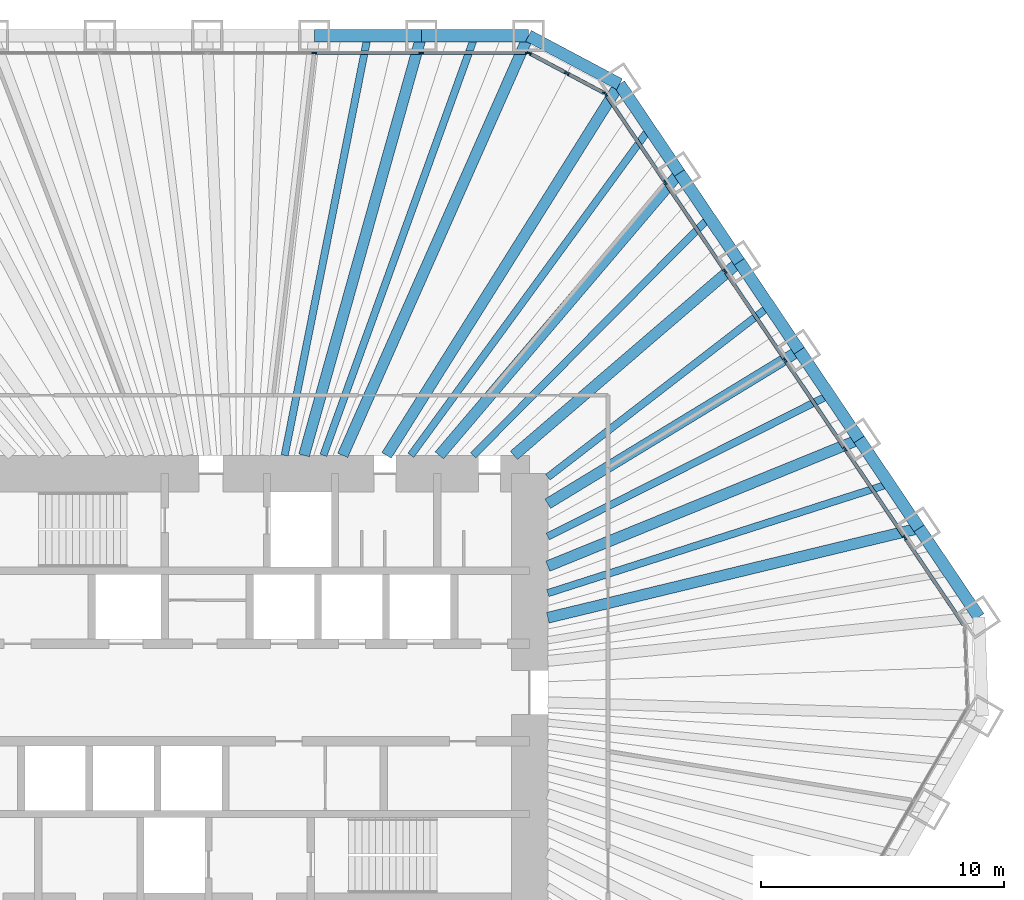
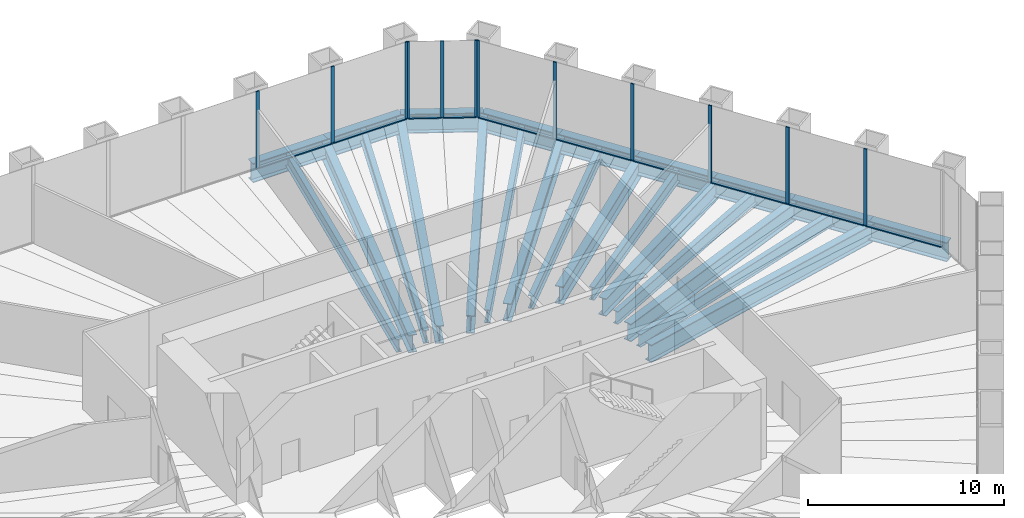
# One storey, part 7 of 13: 24 beams, 22 members, 3 elements without a shape of their own.
"""IFC4 building model written with IfcOpenShell, lengths in metres."""

from ifc_helpers import new_model, si_unit, direction, frame, origin, origin_2d, place, context, subcontext, project, spatial, rectangle, i_section, extrude, material, material_profile, profile_set, type_object, element, aggregate, save


model = new_model("IFC4")

# Units and contexts
model_context = context("Model", 3, precision=1e-05, world=origin(), true_north=direction((0.0, 1.0)))
body_context = subcontext(model_context, "Body", "Model", "MODEL_VIEW")
ifc_project = project(units=[si_unit("LENGTHUNIT", "METRE"), si_unit("AREAUNIT", "SQUARE_METRE"), si_unit("VOLUMEUNIT", "CUBIC_METRE"), si_unit("PLANEANGLEUNIT", "RADIAN"), si_unit("MASSUNIT", "GRAM", prefix="KILO")], contexts=[model_context])

# Site, building, storey
site_placement = place(None, origin())
site = spatial("IfcSite", under=ifc_project, at=site_placement, CompositionType="ELEMENT")
building_placement = place(site_placement, origin())
building = spatial("IfcBuilding", under=site, at=building_placement, Name="Qingtian Harvest Tower", CompositionType="ELEMENT")
storey_placement = place(building_placement, frame((0.0, 0.0, 87.0)))
storey = spatial("IfcBuildingStorey", under=building, at=storey_placement, Name="L17", CompositionType="ELEMENT", Elevation=87.0)

# Beams
ifc_material_1 = material(Name="Steel SM570MC", Category="steel")
ifc_material_profile_1 = material_profile(ifc_material_1, i_section(OverallWidth=0.449951171875, OverallDepth=1.10009765625, WebThickness=0.02197265625, FlangeThickness=0.044921875, at=origin_2d()), Name="H1100x450x22x45")
ifc_profile_set_1 = profile_set([ifc_material_profile_1], Name="Steel SM570MC")
beam_type_1 = type_object("IfcBeamType", Name="Corner floor beam FB8 H1100x450x22x45", PredefinedType="BEAM", material=ifc_profile_set_1)
beam_1_placement = place(storey_placement, frame((11.9560546875, 27.0, -0.75), z_axis=(-0.404898955654, -0.914361436036, 0.0), x_axis=(0.914361436036, -0.404898955654, 0.0)))
element("IfcBeam", 1, at=beam_1_placement, inside=storey, type_object=beam_type_1, Name="Floor beam FB8 N6", PredefinedType="BEAM", context=body_context, shape_type="SweptSolid", body=[
    extrude(i_section(OverallWidth=0.449951171875, OverallDepth=1.10009765625, WebThickness=0.02197265625, FlangeThickness=0.044921875, at=origin_2d()), origin(), (0.0, 0.0, 1.0), 18.86572265625),
])
beam_2_placement = place(storey_placement, frame((15.6982421875, 25.01025390625, -0.75), z_axis=(-0.531622796942, -0.846981228701, 0.0), x_axis=(0.846981228701, -0.531622796942, 0.0)))
element("IfcBeam", 2, at=beam_2_placement, inside=storey, type_object=beam_type_1, Name="Floor beam FB8 NE0", PredefinedType="BEAM", context=body_context, shape_type="SweptSolid", body=[
    extrude(i_section(OverallWidth=0.449951171875, OverallDepth=1.10009765625, WebThickness=0.02197265625, FlangeThickness=0.044921875, at=origin_2d()), origin(), (0.0, 0.0, 1.0), 18.017333984375),
])
ifc_material_2 = material(Name="Steel SM570MC", Category="steel")
ifc_material_profile_2 = material_profile(ifc_material_2, i_section(OverallWidth=0.449951171875, OverallDepth=1.10009765625, WebThickness=0.02197265625, FlangeThickness=0.044921875, at=origin_2d()), Name="H1100x450x22x45")
ifc_profile_set_2 = profile_set([ifc_material_profile_2], Name="Steel SM570MC")
beam_type_2 = type_object("IfcBeamType", Name="Floor beam FB1 H1100x450x22x45", PredefinedType="BEAM", material=ifc_profile_set_2)
beam_3_placement = place(storey_placement, frame((7.551513671875, 27.0, -0.75), z_axis=(-0.269343258019, -0.963044240604, 0.0), x_axis=(0.963044240604, -0.269343258019, 0.0)))
element("IfcBeam", 3, at=beam_3_placement, inside=storey, type_object=beam_type_2, Name="Floor beam FB1 N5", PredefinedType="BEAM", context=body_context, shape_type="SweptSolid", body=[
    extrude(i_section(OverallWidth=0.449951171875, OverallDepth=1.10009765625, WebThickness=0.02197265625, FlangeThickness=0.044921875, at=origin_2d()), origin(), (0.0, 0.0, 1.0), 17.911865234375),
])
beam_4_placement = place(storey_placement, frame((18.1611328125, 21.358642578125, -0.75), z_axis=(-0.647781887327, -0.761825850474, 0.0), x_axis=(0.761825850474, -0.647781887327, 0.0)))
element("IfcBeam", 4, at=beam_4_placement, inside=storey, type_object=beam_type_2, Name="Floor beam FB1 NE1", PredefinedType="BEAM", context=body_context, shape_type="SweptSolid", body=[
    extrude(i_section(OverallWidth=0.449951171875, OverallDepth=1.10009765625, WebThickness=0.02197265625, FlangeThickness=0.044921875, at=origin_2d()), origin(), (0.0, 0.0, 1.0), 15.238037109375),
])
beam_5_placement = place(storey_placement, frame((20.624267578125, 17.70703125, -0.75), z_axis=(-0.75873153072, -0.651403457384, 0.0), x_axis=(0.651403457384, -0.75873153072, 0.0)))
element("IfcBeam", 5, at=beam_5_placement, inside=storey, type_object=beam_type_2, Name="Floor beam FB1 NE2", PredefinedType="BEAM", context=body_context, shape_type="SweptSolid", body=[
    extrude(i_section(OverallWidth=0.449951171875, OverallDepth=1.10009765625, WebThickness=0.02197265625, FlangeThickness=0.044921875, at=origin_2d()), origin(), (0.0, 0.0, 1.0), 12.21533203125),
])
beam_6_placement = place(storey_placement, frame((23.08740234375, 14.0556640625, -0.75), z_axis=(-0.854157261259, -0.520014781558, 0.0), x_axis=(0.520014781558, -0.854157261259, 0.0)))
element("IfcBeam", 6, at=beam_6_placement, inside=storey, type_object=beam_type_2, Name="Floor beam FB1 NE3", PredefinedType="BEAM", context=body_context, shape_type="SweptSolid", body=[
    extrude(i_section(OverallWidth=0.449951171875, OverallDepth=1.10009765625, WebThickness=0.02197265625, FlangeThickness=0.044921875, at=origin_2d()), origin(), (0.0, 0.0, 1.0), 12.1025390625),
])
beam_7_placement = place(storey_placement, frame((25.55029296875, 10.404052734375, -0.75), z_axis=(-0.926156354735, -0.37713977062, 0.0), x_axis=(0.37713977062, -0.926156354735, 0.0)))
element("IfcBeam", 7, at=beam_7_placement, inside=storey, type_object=beam_type_2, Name="Floor beam FB1 NE4", PredefinedType="BEAM", context=body_context, shape_type="SweptSolid", body=[
    extrude(i_section(OverallWidth=0.449951171875, OverallDepth=1.10009765625, WebThickness=0.02197265625, FlangeThickness=0.044921875, at=origin_2d()), origin(), (0.0, 0.0, 1.0), 13.82080078125),
])
beam_8_placement = place(storey_placement, frame((28.013427734375, 6.75244140625, -0.75), z_axis=(-0.972155908389, -0.234334994792, 0.0), x_axis=(0.234334994792, -0.972155908389, 0.0)))
element("IfcBeam", 8, at=beam_8_placement, inside=storey, type_object=beam_type_2, Name="Floor beam FB1 NE5", PredefinedType="BEAM", context=body_context, shape_type="SweptSolid", body=[
    extrude(i_section(OverallWidth=0.449951171875, OverallDepth=1.10009765625, WebThickness=0.02197265625, FlangeThickness=0.044921875, at=origin_2d()), origin(), (0.0, 0.0, 1.0), 15.70068359375),
])
ifc_material_3 = material(Name="Steel SN490B", Category="steel")
ifc_material_profile_3 = material_profile(ifc_material_3, i_section(OverallWidth=0.300048828125, OverallDepth=0.800048828125, WebThickness=0.013916015625, FlangeThickness=0.02587890625, at=origin_2d()), Name="H800x300x14x26")
ifc_profile_set_3 = profile_set([ifc_material_profile_3], Name="Steel SN490B")
beam_type_3 = type_object("IfcBeamType", Name="Floor joist J1 H800x300x14x26", PredefinedType="JOIST", material=ifc_profile_set_3)
beam_9_placement = place(storey_placement, frame((5.349365234375, 27.0, -0.60009765625), z_axis=(-0.19435104803, -0.980932041545, 0.0), x_axis=(0.980932041545, -0.19435104803, 0.0)))
element("IfcBeam", 9, at=beam_9_placement, inside=storey, type_object=beam_type_3, Name="Floor joist J1 N4", PredefinedType="JOIST", context=body_context, shape_type="SweptSolid", body=[
    extrude(i_section(OverallWidth=0.300048828125, OverallDepth=0.800048828125, WebThickness=0.013916015625, FlangeThickness=0.02587890625, at=origin_2d()), origin(), (0.0, 0.0, 1.0), 17.585205078125),
])
beam_10_placement = place(storey_placement, frame((9.75390625, 27.0, -0.60009765625), z_axis=(-0.339766141765, -0.940509951521, 0.0), x_axis=(0.940509951521, -0.339766141765, 0.0)))
element("IfcBeam", 10, at=beam_10_placement, inside=storey, type_object=beam_type_3, Name="Floor joist J1 N5", PredefinedType="JOIST", context=body_context, shape_type="SweptSolid", body=[
    extrude(i_section(OverallWidth=0.300048828125, OverallDepth=0.800048828125, WebThickness=0.013916015625, FlangeThickness=0.02587890625, at=origin_2d()), origin(), (0.0, 0.0, 1.0), 18.341064453125),
])
beam_11_placement = place(storey_placement, frame((16.9296875, 23.1845703125, -0.60009765625), z_axis=(-0.589722175422, -0.80760618857, 0.0), x_axis=(0.80760618857, -0.589722175422, 0.0)))
element("IfcBeam", 11, at=beam_11_placement, inside=storey, type_object=beam_type_3, Name="Floor joist J1 NE0", PredefinedType="JOIST", context=body_context, shape_type="SweptSolid", body=[
    extrude(i_section(OverallWidth=0.300048828125, OverallDepth=0.800048828125, WebThickness=0.013916015625, FlangeThickness=0.02587890625, at=origin_2d()), origin(), (0.0, 0.0, 1.0), 16.635009765625),
])
beam_12_placement = place(storey_placement, frame((19.392822265625, 19.532958984375, -0.60009765625), z_axis=(-0.704560879039, -0.709643549768, 0.0), x_axis=(0.709643549768, -0.704560879039, 0.0)))
element("IfcBeam", 12, at=beam_12_placement, inside=storey, type_object=beam_type_3, Name="Floor joist J1 NE1", PredefinedType="JOIST", context=body_context, shape_type="SweptSolid", body=[
    extrude(i_section(OverallWidth=0.300048828125, OverallDepth=0.800048828125, WebThickness=0.013916015625, FlangeThickness=0.02587890625, at=origin_2d()), origin(), (0.0, 0.0, 1.0), 13.78564453125),
])
beam_13_placement = place(storey_placement, frame((21.855712890625, 15.88134765625, -0.60009765625), z_axis=(-0.79149450594, -0.611176281499, 0.0), x_axis=(0.611176281499, -0.79149450594, 0.0)))
element("IfcBeam", 13, at=beam_13_placement, inside=storey, type_object=beam_type_3, Name="Floor joist J1 NE2", PredefinedType="JOIST", context=body_context, shape_type="SweptSolid", body=[
    extrude(i_section(OverallWidth=0.300048828125, OverallDepth=0.800048828125, WebThickness=0.013916015625, FlangeThickness=0.02587890625, at=origin_2d()), origin(), (0.0, 0.0, 1.0), 11.50439453125),
])
beam_14_placement = place(storey_placement, frame((24.31884765625, 12.229736328125, -0.60009765625), z_axis=(-0.893391632689, -0.449278744924, 0.0), x_axis=(0.449278744924, -0.893391632689, 0.0)))
element("IfcBeam", 14, at=beam_14_placement, inside=storey, type_object=beam_type_3, Name="Floor joist J1 NE3", PredefinedType="JOIST", context=body_context, shape_type="SweptSolid", body=[
    extrude(i_section(OverallWidth=0.300048828125, OverallDepth=0.800048828125, WebThickness=0.013916015625, FlangeThickness=0.02587890625, at=origin_2d()), origin(), (0.0, 0.0, 1.0), 12.949462890625),
])
beam_15_placement = place(storey_placement, frame((26.78173828125, 8.578125, -0.60009765625), z_axis=(-0.952340804978, -0.305036048976, 0.0), x_axis=(0.305036048976, -0.952340804978, 0.0)))
element("IfcBeam", 15, at=beam_15_placement, inside=storey, type_object=beam_type_3, Name="Floor joist J1 NE4", PredefinedType="JOIST", context=body_context, shape_type="SweptSolid", body=[
    extrude(i_section(OverallWidth=0.300048828125, OverallDepth=0.800048828125, WebThickness=0.013916015625, FlangeThickness=0.02587890625, at=origin_2d()), origin(), (0.0, 0.0, 1.0), 14.73388671875),
])

# Curtain wall, members
ifc_material_4 = material(Name="Bronze-anodised aluminium curtain wall", Category="aluminium")
curtain_wall_type = type_object("IfcCurtainWallType", Name="Curtain wall CW2 farm reception", PredefinedType="USERDEFINED", material=ifc_material_4)
curtain_wall_1_placement = place(storey_placement, origin())
curtain_wall_1 = element("IfcCurtainWall", 16, at=curtain_wall_1_placement, inside=storey, type_object=curtain_wall_type, Name="Curtain wall CW2 L17 N0-5", ObjectType="RECESSED CURTAIN WALL", PredefinedType="USERDEFINED")
ifc_material_5 = material(Name="Bronze-anodised aluminium mullion", Category="aluminium")
ifc_material_profile_4 = material_profile(ifc_material_5, rectangle(XDim=0.06494140625, YDim=0.199951171875, at=origin_2d()), Name="AL 65x200")
ifc_profile_set_4 = profile_set([ifc_material_profile_4], Name="Bronze-anodised aluminium mullion")
member_type_1 = type_object("IfcMemberType", Name="Mullion CWM 65x200", PredefinedType="MULLION", material=ifc_profile_set_4)
member_1_placement = place(storey_placement, frame((3.14697265625, 26.300048828125, 0.0), z_axis=(0.0, 0.0, 1.0), x_axis=(0.0, 1.0, 0.0)))
member_1 = element("IfcMember", 17, at=member_1_placement, type_object=member_type_1, Name="CW2 mullion 5", PredefinedType="MULLION", context=body_context, shape_type="SweptSolid", body=[
    extrude(rectangle(XDim=0.06494140625, YDim=0.199951171875, at=origin_2d()), origin(), (0.0, 0.0, 1.0), 4.800048828125),
])
member_2_placement = place(storey_placement, frame((7.551513671875, 26.300048828125, 0.0), z_axis=(0.0, 0.0, 1.0), x_axis=(0.0, 1.0, 0.0)))
member_2 = element("IfcMember", 18, at=member_2_placement, type_object=member_type_1, Name="CW2 mullion 6", PredefinedType="MULLION", context=body_context, shape_type="SweptSolid", body=[
    extrude(rectangle(XDim=0.06494140625, YDim=0.199951171875, at=origin_2d()), origin(), (0.0, 0.0, 1.0), 4.800048828125),
])
member_3_placement = place(storey_placement, frame((11.923583984375, 26.300048828125, 0.0), z_axis=(0.0, 0.0, 1.0), x_axis=(0.0, 1.0, 0.0)))
member_3 = element("IfcMember", 19, at=member_3_placement, type_object=member_type_1, Name="CW2 mullion 7", PredefinedType="MULLION", context=body_context, shape_type="SweptSolid", body=[
    extrude(rectangle(XDim=0.06494140625, YDim=0.199951171875, at=origin_2d()), origin(), (0.0, 0.0, 1.0), 4.800048828125),
])

curtain_wall_2_placement = place(storey_placement, origin())
curtain_wall_2 = element("IfcCurtainWall", 20, at=curtain_wall_2_placement, inside=storey, type_object=curtain_wall_type, Name="Curtain wall CW2 L17 NC", ObjectType="RECESSED CURTAIN WALL", PredefinedType="USERDEFINED")
member_4_placement = place(storey_placement, frame((11.98486328125, 26.28466796875, 0.0), z_axis=(0.0, 0.0, 1.0), x_axis=(0.469471562786, 0.882947592859, 0.0)))
member_4 = element("IfcMember", 21, at=member_4_placement, type_object=member_type_1, Name="CW2 mullion 1", PredefinedType="MULLION", context=body_context, shape_type="SweptSolid", body=[
    extrude(rectangle(XDim=0.06494140625, YDim=0.199951171875, at=origin_2d()), origin(), (0.0, 0.0, 1.0), 4.800048828125),
])
member_5_placement = place(storey_placement, frame((13.537109375, 25.45947265625, 0.0), z_axis=(0.0, 0.0, 1.0), x_axis=(0.469471562786, 0.882947592859, 0.0)))
member_5 = element("IfcMember", 22, at=member_5_placement, type_object=member_type_1, Name="CW2 mullion 2", PredefinedType="MULLION", context=body_context, shape_type="SweptSolid", body=[
    extrude(rectangle(XDim=0.06494140625, YDim=0.199951171875, at=origin_2d()), origin(), (0.0, 0.0, 1.0), 4.800048828125),
])
member_6_placement = place(storey_placement, frame((15.089111328125, 24.634033203125, 0.0), z_axis=(0.0, 0.0, 1.0), x_axis=(0.469471562786, 0.882947592859, 0.0)))
member_6 = element("IfcMember", 23, at=member_6_placement, type_object=member_type_1, Name="CW2 mullion 3", PredefinedType="MULLION", context=body_context, shape_type="SweptSolid", body=[
    extrude(rectangle(XDim=0.06494140625, YDim=0.199951171875, at=origin_2d()), origin(), (0.0, 0.0, 1.0), 4.800048828125),
])

curtain_wall_3_placement = place(storey_placement, origin())
curtain_wall_3 = element("IfcCurtainWall", 24, at=curtain_wall_3_placement, inside=storey, type_object=curtain_wall_type, Name="Curtain wall CW2 L17 NE0-5", ObjectType="RECESSED CURTAIN WALL", PredefinedType="USERDEFINED")
member_7_placement = place(storey_placement, frame((15.135986328125, 24.592041015625, 0.0), z_axis=(0.0, 0.0, 1.0), x_axis=(0.829037572555, 0.559192903471, 0.0)))
member_7 = element("IfcMember", 25, at=member_7_placement, type_object=member_type_1, Name="CW2 mullion 1", PredefinedType="MULLION", context=body_context, shape_type="SweptSolid", body=[
    extrude(rectangle(XDim=0.06494140625, YDim=0.199951171875, at=origin_2d()), origin(), (0.0, 0.0, 1.0), 4.800048828125),
])
member_8_placement = place(storey_placement, frame((17.580810546875, 20.96728515625, 0.0), z_axis=(0.0, 0.0, 1.0), x_axis=(0.829037572555, 0.559192903471, 0.0)))
member_8 = element("IfcMember", 26, at=member_8_placement, type_object=member_type_1, Name="CW2 mullion 2", PredefinedType="MULLION", context=body_context, shape_type="SweptSolid", body=[
    extrude(rectangle(XDim=0.06494140625, YDim=0.199951171875, at=origin_2d()), origin(), (0.0, 0.0, 1.0), 4.800048828125),
])
member_9_placement = place(storey_placement, frame((20.0439453125, 17.315673828125, 0.0), z_axis=(0.0, 0.0, 1.0), x_axis=(0.829037572555, 0.559192903471, 0.0)))
member_9 = element("IfcMember", 27, at=member_9_placement, type_object=member_type_1, Name="CW2 mullion 3", PredefinedType="MULLION", context=body_context, shape_type="SweptSolid", body=[
    extrude(rectangle(XDim=0.06494140625, YDim=0.199951171875, at=origin_2d()), origin(), (0.0, 0.0, 1.0), 4.800048828125),
])
member_10_placement = place(storey_placement, frame((22.507080078125, 13.6640625, 0.0), z_axis=(0.0, 0.0, 1.0), x_axis=(0.829037572555, 0.559192903471, 0.0)))
member_10 = element("IfcMember", 28, at=member_10_placement, type_object=member_type_1, Name="CW2 mullion 4", PredefinedType="MULLION", context=body_context, shape_type="SweptSolid", body=[
    extrude(rectangle(XDim=0.06494140625, YDim=0.199951171875, at=origin_2d()), origin(), (0.0, 0.0, 1.0), 4.800048828125),
])
member_11_placement = place(storey_placement, frame((24.969970703125, 10.012451171875, 0.0), z_axis=(0.0, 0.0, 1.0), x_axis=(0.829037572555, 0.559192903471, 0.0)))
member_11 = element("IfcMember", 29, at=member_11_placement, type_object=member_type_1, Name="CW2 mullion 5", PredefinedType="MULLION", context=body_context, shape_type="SweptSolid", body=[
    extrude(rectangle(XDim=0.06494140625, YDim=0.199951171875, at=origin_2d()), origin(), (0.0, 0.0, 1.0), 4.800048828125),
])
member_12_placement = place(storey_placement, frame((27.43310546875, 6.36083984375, 0.0), z_axis=(0.0, 0.0, 1.0), x_axis=(0.829037572555, 0.559192903471, 0.0)))
member_12 = element("IfcMember", 30, at=member_12_placement, type_object=member_type_1, Name="CW2 mullion 6", PredefinedType="MULLION", context=body_context, shape_type="SweptSolid", body=[
    extrude(rectangle(XDim=0.06494140625, YDim=0.199951171875, at=origin_2d()), origin(), (0.0, 0.0, 1.0), 4.800048828125),
])

# Beams
ifc_material_6 = material(Name="Steel SM570MC", Category="steel")
ifc_material_profile_5 = material_profile(ifc_material_6, i_section(OverallWidth=0.5, OverallDepth=1.199951171875, WebThickness=0.02490234375, FlangeThickness=0.050048828125, at=origin_2d()), Name="H1200x500x25x50")
ifc_profile_set_5 = profile_set([ifc_material_profile_5], Name="Steel SM570MC")
beam_type_4 = type_object("IfcBeamType", Name="Spandrel beam SB1 H1200x500x25x50", PredefinedType="SPANDREL", material=ifc_profile_set_5)
for number, where, z_axis, x_axis, name in (
    (31, (3.14697265625, 27.0, -0.60009765625), (1.0, 0.0, 0.0), (0.0, 1.0, 0.0), "Spandrel SB1 N4"),
    (32, (7.551513671875, 27.0, -0.60009765625), (1.0, 0.0, 0.0), (0.0, 1.0, 0.0), "Spandrel SB1 N5"),
):
    element("IfcBeam", number, at=place(storey_placement, frame(where, z_axis=z_axis, x_axis=x_axis)), inside=storey, type_object=beam_type_4, Name=name, PredefinedType="SPANDREL", context=body_context, shape_type="SweptSolid", body=[
        extrude(i_section(OverallWidth=0.5, OverallDepth=1.199951171875, WebThickness=0.02490234375, FlangeThickness=0.050048828125, at=origin_2d()), origin(), (0.0, 0.0, 1.0), 4.404541015625),
    ])
beam_16_placement = place(storey_placement, frame((11.9560546875, 27.0, -0.60009765625), z_axis=(0.882948599748, -0.469469669099, 0.0), x_axis=(0.469469669099, 0.882948599748, 0.0)))
element("IfcBeam", 33, at=beam_16_placement, inside=storey, type_object=beam_type_4, Name="Spandrel SB1 NC", PredefinedType="SPANDREL", context=body_context, shape_type="SweptSolid", body=[
    extrude(i_section(OverallWidth=0.5, OverallDepth=1.199951171875, WebThickness=0.02490234375, FlangeThickness=0.050048828125, at=origin_2d()), origin(), (0.0, 0.0, 1.0), 4.23828125),
])
beam_17_placement = place(storey_placement, frame((15.6982421875, 25.01025390625, -0.60009765625), z_axis=(0.559169135272, -0.829053603912, 0.0), x_axis=(0.829053603912, 0.559169135272, 0.0)))
element("IfcBeam", 34, at=beam_17_placement, inside=storey, type_object=beam_type_4, Name="Spandrel SB1 NE0", PredefinedType="SPANDREL", context=body_context, shape_type="SweptSolid", body=[
    extrude(i_section(OverallWidth=0.5, OverallDepth=1.199951171875, WebThickness=0.02490234375, FlangeThickness=0.050048828125, at=origin_2d()), origin(), (0.0, 0.0, 1.0), 4.404541015625),
])
beam_18_placement = place(storey_placement, frame((18.1611328125, 21.358642578125, -0.60009765625), z_axis=(0.559207231603, -0.829027907928, 0.0), x_axis=(0.829027907928, 0.559207231603, 0.0)))
element("IfcBeam", 35, at=beam_18_placement, inside=storey, type_object=beam_type_4, Name="Spandrel SB1 NE1", PredefinedType="SPANDREL", context=body_context, shape_type="SweptSolid", body=[
    extrude(i_section(OverallWidth=0.5, OverallDepth=1.199951171875, WebThickness=0.02490234375, FlangeThickness=0.050048828125, at=origin_2d()), origin(), (0.0, 0.0, 1.0), 4.40478515625),
])
for number, where, z_axis, x_axis, name in (
    (36, (20.624267578125, 17.70703125, -0.60009765625), (0.559232928578, -0.829010573874, 0.0), (0.829010573874, 0.559232928578, 0.0), "Spandrel SB1 NE2"),
    (37, (23.08740234375, 14.0556640625, -0.60009765625), (0.559169135272, -0.829053603912, 0.0), (0.829053603912, 0.559169135272, 0.0), "Spandrel SB1 NE3"),
):
    element("IfcBeam", number, at=place(storey_placement, frame(where, z_axis=z_axis, x_axis=x_axis)), inside=storey, type_object=beam_type_4, Name=name, PredefinedType="SPANDREL", context=body_context, shape_type="SweptSolid", body=[
        extrude(i_section(OverallWidth=0.5, OverallDepth=1.199951171875, WebThickness=0.02490234375, FlangeThickness=0.050048828125, at=origin_2d()), origin(), (0.0, 0.0, 1.0), 4.404541015625),
    ])
beam_19_placement = place(storey_placement, frame((25.55029296875, 10.404052734375, -0.60009765625), z_axis=(0.559207231603, -0.829027907928, 0.0), x_axis=(0.829027907928, 0.559207231603, 0.0)))
element("IfcBeam", 38, at=beam_19_placement, inside=storey, type_object=beam_type_4, Name="Spandrel SB1 NE4", PredefinedType="SPANDREL", context=body_context, shape_type="SweptSolid", body=[
    extrude(i_section(OverallWidth=0.5, OverallDepth=1.199951171875, WebThickness=0.02490234375, FlangeThickness=0.050048828125, at=origin_2d()), origin(), (0.0, 0.0, 1.0), 4.40478515625),
])
beam_20_placement = place(storey_placement, frame((28.013427734375, 6.75244140625, -0.60009765625), z_axis=(0.559169135272, -0.829053603912, 0.0), x_axis=(0.829053603912, 0.559169135272, 0.0)))
element("IfcBeam", 39, at=beam_20_placement, inside=storey, type_object=beam_type_4, Name="Spandrel SB1 NE5", PredefinedType="SPANDREL", context=body_context, shape_type="SweptSolid", body=[
    extrude(i_section(OverallWidth=0.5, OverallDepth=1.199951171875, WebThickness=0.02490234375, FlangeThickness=0.050048828125, at=origin_2d()), origin(), (0.0, 0.0, 1.0), 4.404541015625),
])

# Member
ifc_material_7 = material(Name="Bronze-anodised aluminium transom", Category="aluminium")
ifc_material_profile_6 = material_profile(ifc_material_7, rectangle(XDim=0.14990234375, YDim=0.06494140625, at=origin_2d()), Name="AL 65x150")
ifc_profile_set_6 = profile_set([ifc_material_profile_6], Name="Bronze-anodised aluminium transom")
member_type_2 = type_object("IfcMemberType", Name="Transom CWT 65x150", PredefinedType="USERDEFINED", material=ifc_profile_set_6)
member_13_placement = place(storey_placement, frame((3.179443359375, 26.300048828125, 0.032470703125), z_axis=(1.0, 0.0, 0.0), x_axis=(0.0, 1.0, 0.0)))
member_13 = element("IfcMember", 40, at=member_13_placement, type_object=member_type_2, Name="CW2 transom 5.1", ObjectType="TRANSOM", PredefinedType="USERDEFINED", context=body_context, shape_type="SweptSolid", body=[
    extrude(rectangle(XDim=0.14990234375, YDim=0.06494140625, at=origin_2d()), origin(), (0.0, 0.0, 1.0), 4.339599609375),
])

member_14_placement = place(storey_placement, frame((7.583984375, 26.300048828125, 0.032470703125), z_axis=(1.0, 0.0, 0.0), x_axis=(0.0, 1.0, 0.0)))
member_14 = element("IfcMember", 41, at=member_14_placement, type_object=member_type_2, Name="CW2 transom 6.1", ObjectType="TRANSOM", PredefinedType="USERDEFINED", context=body_context, shape_type="SweptSolid", body=[
    extrude(rectangle(XDim=0.14990234375, YDim=0.06494140625, at=origin_2d()), origin(), (0.0, 0.0, 1.0), 4.30712890625),
])

aggregate(curtain_wall_1, [member_1, member_2, member_3, member_13, member_14])

member_15_placement = place(storey_placement, frame((12.013427734375, 26.26953125, 0.032470703125), z_axis=(0.882927080927, -0.469510138086, 0.0), x_axis=(0.469510138086, 0.882927080927, 0.0)))
member_15 = element("IfcMember", 42, at=member_15_placement, type_object=member_type_2, Name="CW2 transom 1.1", ObjectType="TRANSOM", PredefinedType="USERDEFINED", context=body_context, shape_type="SweptSolid", body=[
    extrude(rectangle(XDim=0.14990234375, YDim=0.06494140625, at=origin_2d()), origin(), (0.0, 0.0, 1.0), 1.693115234375),
])

member_16_placement = place(storey_placement, frame((13.565673828125, 25.444091796875, 0.032470703125), z_axis=(0.882986854304, -0.469397715297, 0.0), x_axis=(0.469397715297, 0.882986854304, 0.0)))
member_16 = element("IfcMember", 43, at=member_16_placement, type_object=member_type_2, Name="CW2 transom 2.1", ObjectType="TRANSOM", PredefinedType="USERDEFINED", context=body_context, shape_type="SweptSolid", body=[
    extrude(rectangle(XDim=0.14990234375, YDim=0.06494140625, at=origin_2d()), origin(), (0.0, 0.0, 1.0), 1.69287109375),
])

aggregate(curtain_wall_2, [member_4, member_5, member_6, member_15, member_16])

member_17_placement = place(storey_placement, frame((15.154296875, 24.56494140625, 0.032470703125), z_axis=(0.559178817275, -0.82904707364, 0.0), x_axis=(0.82904707364, 0.559178817275, 0.0)))
member_17 = element("IfcMember", 44, at=member_17_placement, type_object=member_type_2, Name="CW2 transom 1.1", ObjectType="TRANSOM", PredefinedType="USERDEFINED", context=body_context, shape_type="SweptSolid", body=[
    extrude(rectangle(XDim=0.14990234375, YDim=0.06494140625, at=origin_2d()), origin(), (0.0, 0.0, 1.0), 4.30712890625),
])

member_18_placement = place(storey_placement, frame((17.59912109375, 20.9404296875, 0.032470703125), z_axis=(0.559210013199, -0.82902603164, 0.0), x_axis=(0.82902603164, 0.559210013199, 0.0)))
member_18 = element("IfcMember", 45, at=member_18_placement, type_object=member_type_2, Name="CW2 transom 2.1", ObjectType="TRANSOM", PredefinedType="USERDEFINED", context=body_context, shape_type="SweptSolid", body=[
    extrude(rectangle(XDim=0.14990234375, YDim=0.06494140625, at=origin_2d()), origin(), (0.0, 0.0, 1.0), 4.339599609375),
])

member_19_placement = place(storey_placement, frame((20.06201171875, 17.288818359375, 0.032470703125), z_axis=(0.559210013199, -0.82902603164, 0.0), x_axis=(0.82902603164, 0.559210013199, 0.0)))
member_19 = element("IfcMember", 46, at=member_19_placement, type_object=member_type_2, Name="CW2 transom 3.1", ObjectType="TRANSOM", PredefinedType="USERDEFINED", context=body_context, shape_type="SweptSolid", body=[
    extrude(rectangle(XDim=0.14990234375, YDim=0.06494140625, at=origin_2d()), origin(), (0.0, 0.0, 1.0), 4.339599609375),
])

member_20_placement = place(storey_placement, frame((22.525146484375, 13.63720703125, 0.032470703125), z_axis=(0.559210013199, -0.82902603164, 0.0), x_axis=(0.82902603164, 0.559210013199, 0.0)))
member_20 = element("IfcMember", 47, at=member_20_placement, type_object=member_type_2, Name="CW2 transom 4.1", ObjectType="TRANSOM", PredefinedType="USERDEFINED", context=body_context, shape_type="SweptSolid", body=[
    extrude(rectangle(XDim=0.14990234375, YDim=0.06494140625, at=origin_2d()), origin(), (0.0, 0.0, 1.0), 4.339599609375),
])

member_21_placement = place(storey_placement, frame((24.98828125, 9.985595703125, 0.032470703125), z_axis=(0.559171345763, -0.829052113005, 0.0), x_axis=(0.829052113005, 0.559171345763, 0.0)))
member_21 = element("IfcMember", 48, at=member_21_placement, type_object=member_type_2, Name="CW2 transom 5.1", ObjectType="TRANSOM", PredefinedType="USERDEFINED", context=body_context, shape_type="SweptSolid", body=[
    extrude(rectangle(XDim=0.14990234375, YDim=0.06494140625, at=origin_2d()), origin(), (0.0, 0.0, 1.0), 4.339599609375),
])

member_22_placement = place(storey_placement, frame((27.451171875, 6.333984375, 0.032470703125), z_axis=(0.559178817275, -0.82904707364, 0.0), x_axis=(0.82904707364, 0.559178817275, 0.0)))
member_22 = element("IfcMember", 49, at=member_22_placement, type_object=member_type_2, Name="CW2 transom 6.1", ObjectType="TRANSOM", PredefinedType="USERDEFINED", context=body_context, shape_type="SweptSolid", body=[
    extrude(rectangle(XDim=0.14990234375, YDim=0.06494140625, at=origin_2d()), origin(), (0.0, 0.0, 1.0), 4.30712890625),
])

aggregate(curtain_wall_3, [member_7, member_8, member_9, member_10, member_11, member_12, member_17, member_18, member_19, member_20, member_21, member_22])

save(model, "model.ifc")
